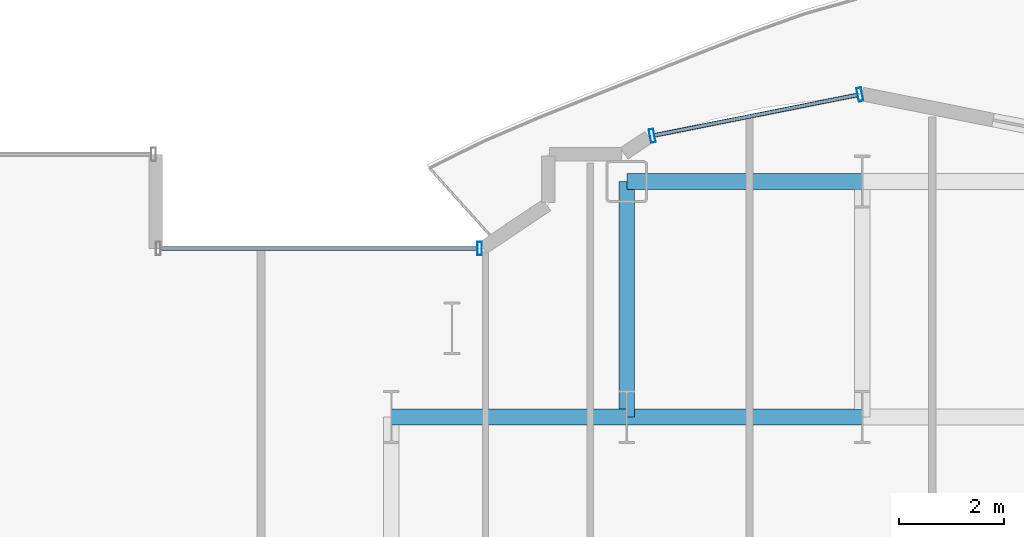
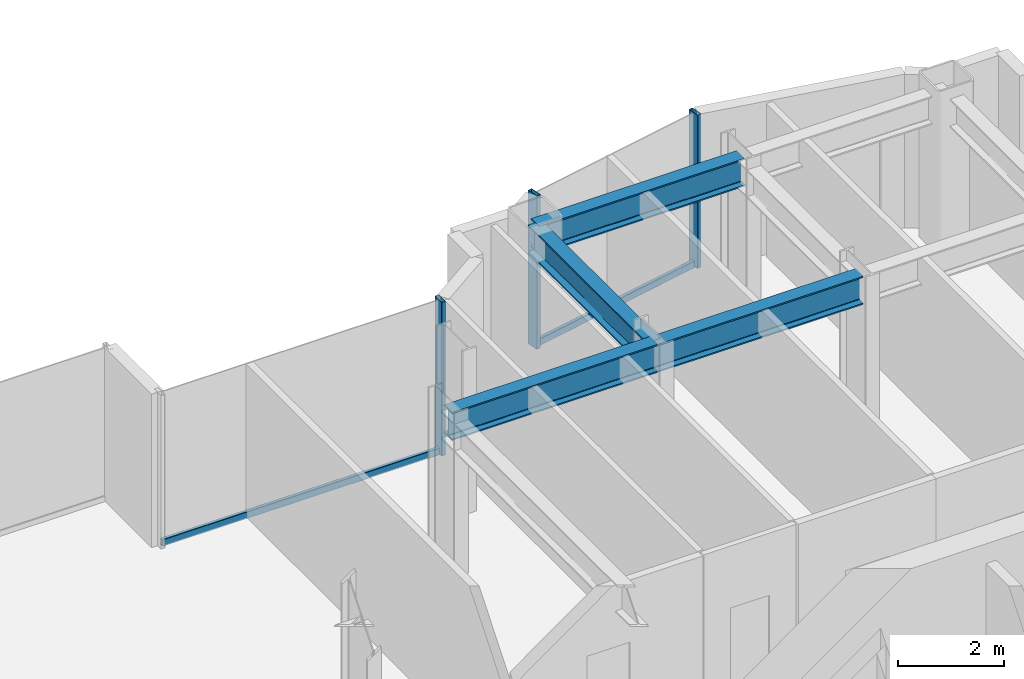
# One storey, part 13 of 29: 5 members, 4 beams, 2 elements without a shape of their own.
"""IFC4 building model written with IfcOpenShell, lengths in metres."""

from ifc_helpers import new_model, si_unit, direction, frame, origin, origin_2d, place, context, subcontext, project, spatial, hollow_rectangle, i_section, extrude, source, transform, mapped, material, layer, layer_set, material_profile, profile_set, type_object, element, aggregate, save


model = new_model("IFC4")

# Units and contexts
model_context = context("Model", 3, precision=1e-05, world=origin(), true_north=direction((0.0, 1.0)))
body_context = subcontext(model_context, "Body", "Model", "MODEL_VIEW")
ifc_project = project(units=[si_unit("LENGTHUNIT", "METRE"), si_unit("AREAUNIT", "SQUARE_METRE"), si_unit("VOLUMEUNIT", "CUBIC_METRE"), si_unit("PLANEANGLEUNIT", "RADIAN"), si_unit("MASSUNIT", "GRAM", prefix="KILO")], contexts=[model_context])

# Site, building, storey
site_placement = place(None, origin())
site = spatial("IfcSite", under=ifc_project, at=site_placement, CompositionType="ELEMENT")
building_placement = place(site_placement, origin())
building = spatial("IfcBuilding", under=site, at=building_placement, Name="Nefas-Gora Pilgrimage Tower", CompositionType="ELEMENT")
storey_placement = place(building_placement, frame((0.0, 0.0, 136.39990234375)))
storey = spatial("IfcBuildingStorey", under=building, at=storey_placement, Name="L33", CompositionType="ELEMENT", Elevation=136.39990234375)

# Beams
ifc_material_1 = material(Name="Steel S355", Category="steel")
ifc_material_profile_1 = material_profile(ifc_material_1, i_section(OverallWidth=0.300048828125, OverallDepth=0.64990234375, WebThickness=0.01611328125, FlangeThickness=0.031005859375, FilletRadius=0.027099609375, at=origin_2d()), Name="HEB 650")
ifc_profile_set_1 = profile_set([ifc_material_profile_1], Name="Steel S355")
beam_type = type_object("IfcBeamType", Name="BM-GIR-HEB650", PredefinedType="BEAM", material=ifc_profile_set_1)
shared_shape_1 = source(origin(), body_context, "Body", "SweptSolid", [
    extrude(i_section(OverallWidth=0.300048828125, OverallDepth=0.64990234375, WebThickness=0.01611328125, FlangeThickness=0.031005859375, FilletRadius=0.027099609375, at=origin_2d()), origin(), (0.0, 0.0, 1.0), 4.5),
])
for number, where, z_axis, x_axis, name in (
    (1, (-11.25, 18.0, 3.22509765625), (1.0, 0.0, 0.0), (0.0, 1.0, 0.0), "L33 G-03 beam"),
    (2, (-6.75, 18.0, 3.22509765625), (0.0, 1.0, 0.0), (-1.0, 0.0, 0.0), "L33 G-03 beam"),
    (3, (-6.75, 18.0, 3.22509765625), (1.0, 0.0, 0.0), (0.0, 1.0, 0.0), "L33 G-03 beam"),
    (4, (-6.75, 22.5, 3.22509765625), (1.0, 0.0, 0.0), (0.0, 1.0, 0.0), "L33 G-03 beam"),
):
    element("IfcBeam", number, at=place(storey_placement, frame(where, z_axis=z_axis, x_axis=x_axis)), inside=storey, type_object=beam_type, Name=name, PredefinedType="BEAM", context=body_context, shape_type="MappedRepresentation", body=[
        mapped(shared_shape_1, transform((0.0, 0.0, 0.0), x_axis=(1.0, 0.0, 0.0), y_axis=(0.0, 1.0, 0.0), z_axis=(0.0, 0.0, 1.0), scale=1.0)),
    ])

# Curtain wall, members
ifc_material_2 = material(Name="Dark ceramic-fritted solar-control aluminium-glass curtain wall", Category="aluminium")
ifc_layer = layer(ifc_material_2, 0.219970703125)
ifc_layer_set = layer_set([ifc_layer], Name="Dark ceramic-fritted solar-control aluminium-glass curtain wall")
curtain_wall_type = type_object("IfcCurtainWallType", Name="CW-SYS-5", PredefinedType="NOTDEFINED", material=ifc_layer_set)
curtain_wall_1_placement = place(storey_placement, origin())
curtain_wall_1 = element("IfcCurtainWall", 5, at=curtain_wall_1_placement, inside=storey, type_object=curtain_wall_type, Name="L33 Unitised Curtain Wall CW5", PredefinedType="NOTDEFINED")
ifc_material_3 = material(Name="Anodised architectural aluminium", Category="aluminium")
ifc_material_profile_2 = material_profile(ifc_material_3, hollow_rectangle(XDim=0.090087890625, YDim=0.260009765625, WallThickness=0.006103515625, InnerFilletRadius=0.006103515625, OuterFilletRadius=0.011962890625, at=origin_2d()), Name="ALU MULLION 90x260")
ifc_profile_set_2 = profile_set([ifc_material_profile_2], Name="Anodised architectural aluminium")
member_type_1 = type_object("IfcMemberType", Name="CWM-MUL-5", PredefinedType="MULLION", material=ifc_profile_set_2)
shared_shape_2 = source(origin(), body_context, "Body", "SweptSolid", [
    extrude(hollow_rectangle(XDim=0.090087890625, YDim=0.260009765625, WallThickness=0.006103515625, InnerFilletRadius=0.006103515625, OuterFilletRadius=0.011962890625, at=origin_2d()), origin(), (0.0, 0.0, 1.0), 3.550048828125),
])
member_1_placement = place(storey_placement, frame((-2.294189453125, 24.16357421875, 0.0), z_axis=(0.0, 0.0, 1.0), x_axis=(-0.980782896852, -0.195102304554, 0.0)))
member_1 = element("IfcMember", 6, at=member_1_placement, type_object=member_type_1, Name="CW5 Mullion 1", PredefinedType="MULLION", context=body_context, shape_type="MappedRepresentation", body=[
    mapped(shared_shape_2, transform((0.0, 0.0, 0.0), x_axis=(1.0, 0.0, 0.0), y_axis=(0.0, 1.0, 0.0), z_axis=(0.0, 0.0, 1.0), scale=1.0)),
])
member_2_placement = place(storey_placement, frame((-6.26318359375, 23.3740234375, 0.0), z_axis=(0.0, 0.0, 1.0), x_axis=(-0.980782896852, -0.195102304554, 0.0)))
member_2 = element("IfcMember", 7, at=member_2_placement, type_object=member_type_1, Name="CW5 Mullion 2", PredefinedType="MULLION", context=body_context, shape_type="MappedRepresentation", body=[
    mapped(shared_shape_2, transform((0.0, 0.0, 0.0), x_axis=(1.0, 0.0, 0.0), y_axis=(0.0, 1.0, 0.0), z_axis=(0.0, 0.0, 1.0), scale=1.0)),
])

curtain_wall_2_placement = place(storey_placement, origin())
curtain_wall_2 = element("IfcCurtainWall", 8, at=curtain_wall_2_placement, inside=storey, type_object=curtain_wall_type, Name="L33 Unitised Curtain Wall CW5", PredefinedType="NOTDEFINED")
member_3_placement = place(storey_placement, frame((-9.56298828125, 21.219970703125, 0.0), z_axis=(0.0, 0.0, 1.0), x_axis=(-1.0, 0.0, 0.0)))
member_3 = element("IfcMember", 9, at=member_3_placement, type_object=member_type_1, Name="CW5 Mullion 1", PredefinedType="MULLION", context=body_context, shape_type="MappedRepresentation", body=[
    mapped(shared_shape_2, transform((0.0, 0.0, 0.0), x_axis=(1.0, 0.0, 0.0), y_axis=(0.0, 1.0, 0.0), z_axis=(0.0, 0.0, 1.0), scale=1.0)),
])
ifc_material_profile_3 = material_profile(ifc_material_3, hollow_rectangle(XDim=0.080078125, YDim=0.159912109375, WallThickness=0.00439453125, InnerFilletRadius=0.00439453125, OuterFilletRadius=0.009033203125, at=origin_2d()), Name="ALU TRANSOM 80x160")
ifc_profile_set_3 = profile_set([ifc_material_profile_3], Name="Anodised architectural aluminium")
member_type_2 = type_object("IfcMemberType", Name="CWM-TRN-5", PredefinedType="USERDEFINED", material=ifc_profile_set_3)
shared_shape_3 = source(origin(), body_context, "Body", "SweptSolid", [
    extrude(hollow_rectangle(XDim=0.080078125, YDim=0.159912109375, WallThickness=0.00439453125, InnerFilletRadius=0.00439453125, OuterFilletRadius=0.009033203125, at=origin_2d()), origin(), (0.0, 0.0, 1.0), 6.052001953125),
])
member_4_placement = place(storey_placement, frame((-9.60791015625, 21.219970703125, 0.050048828125), z_axis=(-1.0, 0.0, 0.0), x_axis=(0.0, -1.0, 0.0)))
member_4 = element("IfcMember", 10, at=member_4_placement, type_object=member_type_2, Name="CW5 Spandrel Transom", ObjectType="TRANSOM", PredefinedType="USERDEFINED", context=body_context, shape_type="MappedRepresentation", body=[
    mapped(shared_shape_3, transform((0.0, 0.0, 0.0), x_axis=(1.0, 0.0, 0.0), y_axis=(0.0, 1.0, 0.0), z_axis=(0.0, 0.0, 1.0), scale=1.0)),
])
aggregate(curtain_wall_2, [member_3, member_4])

# Member
shared_shape_4 = source(origin(), body_context, "Body", "SweptSolid", [
    extrude(hollow_rectangle(XDim=0.080078125, YDim=0.159912109375, WallThickness=0.00439453125, InnerFilletRadius=0.00439453125, OuterFilletRadius=0.009033203125, at=origin_2d()), origin(), (0.0, 0.0, 1.0), 3.95654296875),
])
member_5_placement = place(storey_placement, frame((-2.33837890625, 24.15478515625, 0.050048828125), z_axis=(-0.980781880918, -0.195107411605, 0.0), x_axis=(0.195107411605, -0.980781880918, 0.0)))
member_5 = element("IfcMember", 11, at=member_5_placement, type_object=member_type_2, Name="CW5 Spandrel Transom", ObjectType="TRANSOM", PredefinedType="USERDEFINED", context=body_context, shape_type="MappedRepresentation", body=[
    mapped(shared_shape_4, transform((0.0, 0.0, 0.0), x_axis=(1.0, 0.0, 0.0), y_axis=(0.0, 1.0, 0.0), z_axis=(0.0, 0.0, 1.0), scale=1.0)),
])

aggregate(curtain_wall_1, [member_1, member_2, member_5])

save(model, "model.ifc")
